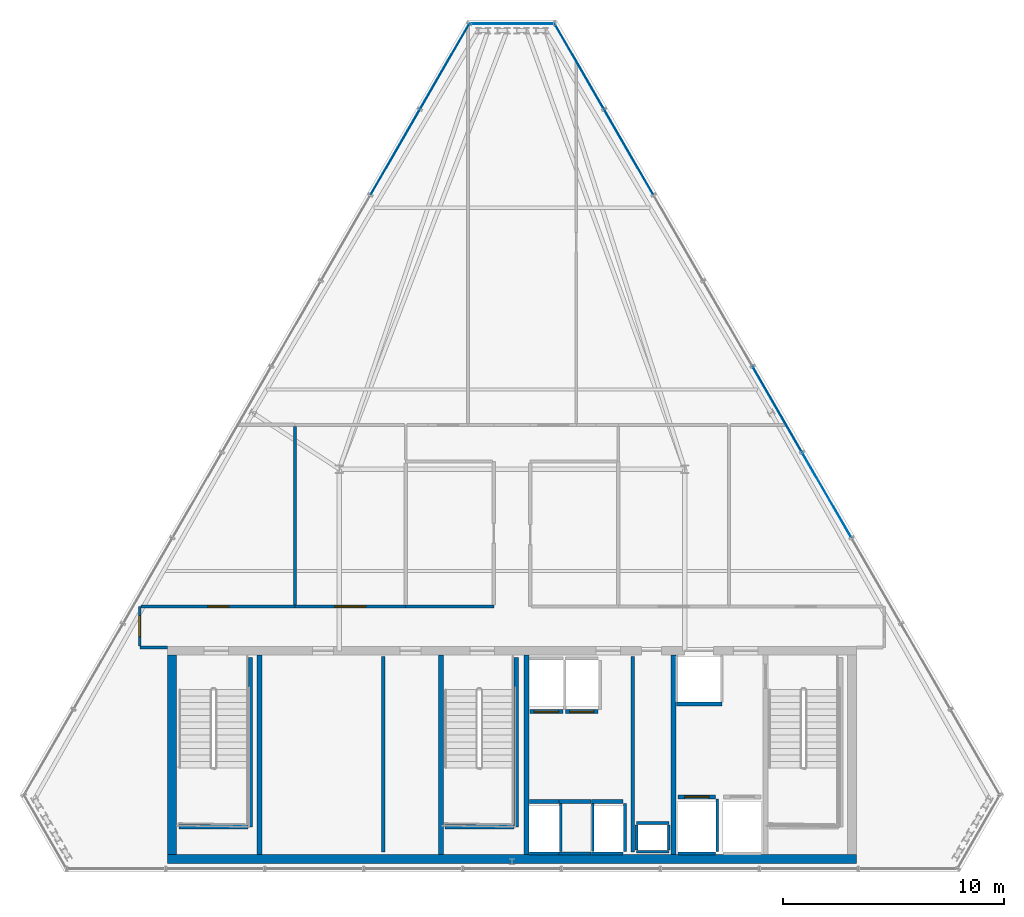
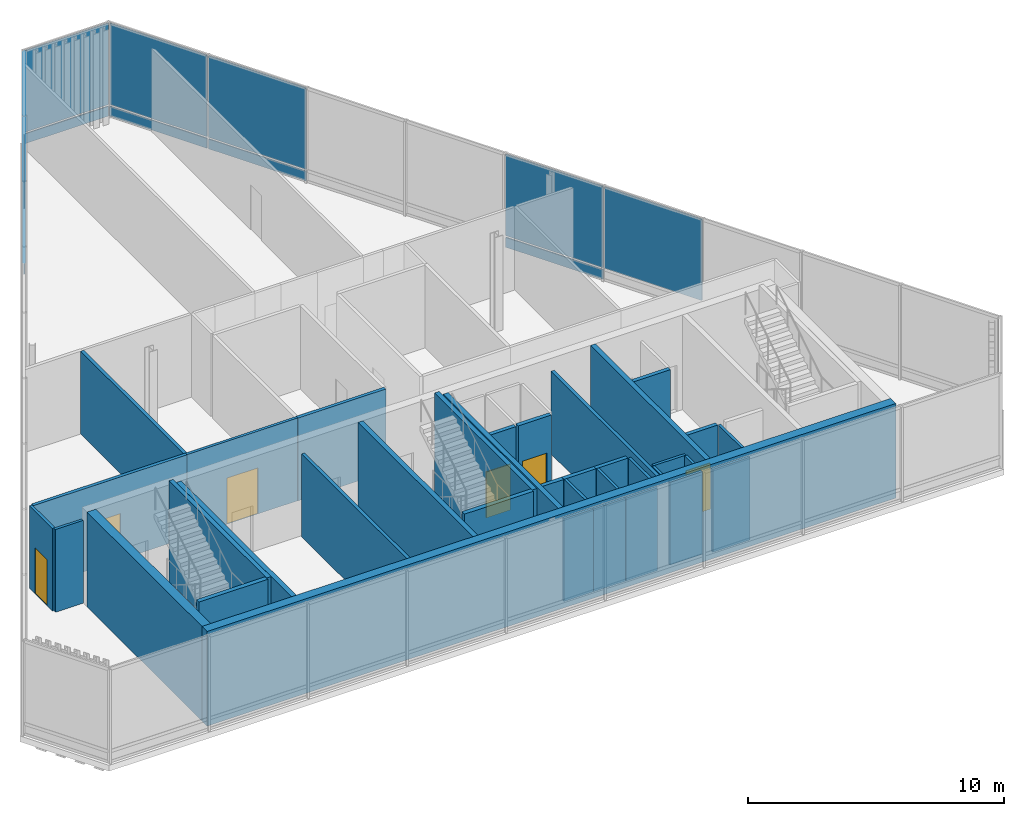
# One storey, part 20 of 25: 37 walls, 13 plates, 6 doors, 6 openings, 3 elements without a shape of their own.
"""IFC4 building model written with IfcOpenShell, lengths in metres."""

import ifcopenshell
import ifcopenshell.guid

model = None  # the IFC model being written
_history = None  # IfcOwnerHistory: only IFC2X3 demands one
_inside = {}  # id of a spatial element -> (the spatial element, [elements in it])
_under = {}  # id of a project, library or spatial element -> (it, [spatial elements below it])
_declared = {}  # id of a project -> (the project, [libraries it declares])
_typed = {}  # id of a type object -> (the type object, [elements of that type])
_made_of = {}  # id of a material, layer set ... -> (it, [elements and type objects made of it])


def new_model(schema):
    """Start an empty IFC model of exactly this schema.

    Asked for "IFC4X3", IfcOpenShell would pick the latest addendum, in which some entities
    have other attributes; the version numbers below select the first issue.
    IFC2X3 requires an IfcOwnerHistory on every rooted entity: one is made here for all.
    """
    global model, _history
    if schema == "IFC4X3":
        model = ifcopenshell.file(schema_version=(4, 3, 0, 0))
    else:
        model = ifcopenshell.file(schema=schema)
    _inside.clear()
    _under.clear()
    _declared.clear()
    _typed.clear()
    _made_of.clear()
    _history = None
    if model.schema == "IFC2X3":
        org = make("IfcOrganization", Name="unknown")
        user = make(
            "IfcPersonAndOrganization",
            ThePerson=make("IfcPerson", FamilyName="unknown"),
            TheOrganization=org,
        )
        app = make(
            "IfcApplication",
            ApplicationDeveloper=org,
            Version="unknown",
            ApplicationFullName="unknown",
            ApplicationIdentifier="unknown",
        )
        _history = make(
            "IfcOwnerHistory",
            OwningUser=user,
            OwningApplication=app,
            ChangeAction="ADDED",
            CreationDate=0,
        )
    return model


def make(cls, **values):
    """One entity of the class cls with the attributes given. An attribute that is None is left unset."""
    return model.create_entity(
        cls, **{name: value for name, value in values.items() if value is not None}
    )


def rooted(cls, **values):
    """An entity with a GlobalId (a new one), such as an element, a storey or a relation."""
    return make(cls, GlobalId=ifcopenshell.guid.new(), OwnerHistory=_history, **values)


def si_unit(unit_type, name, prefix=None):
    """IfcSIUnit, for example si_unit("LENGTHUNIT", "METRE", prefix="MILLI")."""
    return make("IfcSIUnit", UnitType=unit_type, Prefix=prefix, Name=name)


def assignment(units):
    """IfcUnitAssignment: the units of a project."""
    return None if units is None else make("IfcUnitAssignment", Units=units)


def point(xyz):
    """IfcCartesianPoint."""
    return None if xyz is None else make("IfcCartesianPoint", Coordinates=xyz)


def direction(xyz):
    """IfcDirection."""
    return None if xyz is None else make("IfcDirection", DirectionRatios=xyz)


def frame(location, z_axis=None, x_axis=None):
    """IfcAxis2Placement3D, a coordinate frame: its origin and axes. An axis left out is left unset."""
    return make(
        "IfcAxis2Placement3D",
        Location=point(location),
        Axis=direction(z_axis),
        RefDirection=direction(x_axis),
    )


def frame_2d(location, x_axis=None):
    """IfcAxis2Placement2D, a coordinate frame in the plane: its origin and x axis."""
    return make(
        "IfcAxis2Placement2D", Location=point(location), RefDirection=direction(x_axis)
    )


def origin():
    """The frame at (0, 0, 0) with its axes left unset."""
    return frame((0.0, 0.0, 0.0))


def origin_2d():
    """The frame at (0, 0) in the plane with its x axis left unset."""
    return frame_2d((0.0, 0.0))


def place(relative_to, where):
    """IfcLocalPlacement: puts the frame where relative to a parent placement (None: the world)."""
    return make(
        "IfcLocalPlacement", PlacementRelTo=relative_to, RelativePlacement=where
    )


def context(
    kind, dimensions, precision=None, world=None, true_north=None, identifier=None
):
    """IfcGeometricRepresentationContext, for example the 3D "Model" context."""
    return make(
        "IfcGeometricRepresentationContext",
        ContextIdentifier=identifier,
        ContextType=kind,
        CoordinateSpaceDimension=dimensions,
        Precision=precision,
        WorldCoordinateSystem=world,
        TrueNorth=true_north,
    )


def subcontext(parent, identifier, kind, view, scale=None):
    """IfcGeometricRepresentationSubContext, for example "Body" below "Model"."""
    return make(
        "IfcGeometricRepresentationSubContext",
        ContextIdentifier=identifier,
        ContextType=kind,
        ParentContext=parent,
        TargetScale=scale,
        TargetView=view,
    )


def project(units=None, contexts=None):
    """IfcProject with its units and contexts."""
    return rooted(
        "IfcProject",
        Name="project",
        RepresentationContexts=contexts,
        UnitsInContext=assignment(units),
    )


def spatial(cls, under=None, at=None, **own):
    """A site, building, storey or space (cls), placed at a placement, below another one or the project."""
    s = rooted(cls, ObjectPlacement=at, **own)
    if under is not None:
        _under.setdefault(under.id(), (under, []))[1].append(s)
    return s


def profile(cls, at=None, kind="AREA", **sizes):
    """A parametric profile (cls). Its sizes go by their IFC names, for example OverallWidth=200.0."""
    return make(cls, ProfileType=kind, Position=at, **sizes)


def rectangle(**sizes):
    """IfcRectangleProfileDef."""
    return profile("IfcRectangleProfileDef", **sizes)


def extrude(swept, where, along, depth):
    """IfcExtrudedAreaSolid: the profile swept, set in the frame where, extruded along a direction by depth."""
    return make(
        "IfcExtrudedAreaSolid",
        SweptArea=swept,
        Position=where,
        ExtrudedDirection=direction(along),
        Depth=depth,
    )


def shape(context_of_items, identifier, shape_type, items):
    """IfcShapeRepresentation: the items that make up one representation, for example the "Body"."""
    return make(
        "IfcShapeRepresentation",
        ContextOfItems=context_of_items,
        RepresentationIdentifier=identifier,
        RepresentationType=shape_type,
        Items=items,
    )


def material(Name=None, Category=None):
    """IfcMaterial."""
    return make("IfcMaterial", Name=Name, Category=Category)


def layer(
    of_material, thickness, ventilated=None, Name=None, Category=None, Priority=None
):
    """IfcMaterialLayer: one layer of a wall or slab, of a material (None: an air gap)."""
    return make(
        "IfcMaterialLayer",
        Material=of_material,
        LayerThickness=thickness,
        IsVentilated=ventilated,
        Name=Name,
        Category=Category,
        Priority=Priority,
    )


def layer_set(layers, Name=None):
    """IfcMaterialLayerSet."""
    return make("IfcMaterialLayerSet", MaterialLayers=layers, LayerSetName=Name)


def made_of(thing, what):
    """Note that an element or type object is made of a material, layer set ...; save() writes the relation."""
    if what is not None:
        _made_of.setdefault(what.id(), (what, []))[1].append(thing)
    return thing


def type_object(cls, material=None, **own):
    """A type object (cls), such as IfcWallType, which elements share."""
    return made_of(rooted(cls, **own), material)


def element(
    cls,
    number,
    at=None,
    inside=None,
    cuts=None,
    type_object=None,
    material=None,
    context=None,
    identifier="Body",
    shape_type=None,
    held_by="IfcProductDefinitionShape",
    body=None,
    shapes=None,
    **own,
):
    """One element of the class cls, such as IfcWall. Its Tag is "e" and its number.

    at: its placement. inside: the storey or other place that contains it. cuts: it is an
    opening in that element (IfcRelVoidsElement). A single representation is given by context,
    identifier, shape_type and body (its items); several are given by shapes. held_by: the class
    of the entity that holds the representations. save() writes the other relations.
    """
    e = rooted(cls, Tag="e%d" % number, ObjectPlacement=at, **own)
    if body is not None:
        shapes = [shape(context, identifier, shape_type, body)]
    if shapes is not None:
        e.Representation = make(held_by, Representations=shapes)
    if inside is not None:
        _inside.setdefault(inside.id(), (inside, []))[1].append(e)
    if cuts is not None:
        rooted(
            "IfcRelVoidsElement", RelatingBuildingElement=cuts, RelatedOpeningElement=e
        )
    if type_object is not None:
        _typed.setdefault(type_object.id(), (type_object, []))[1].append(e)
    return made_of(e, material)


def fill(opening, filler):
    """IfcRelFillsElement: the door or window that sits in an opening."""
    return rooted(
        "IfcRelFillsElement",
        RelatingOpeningElement=opening,
        RelatedBuildingElement=filler,
    )


def aggregate(whole, parts):
    """IfcRelAggregates: a whole, such as a stair, and the parts it consists of."""
    return rooted("IfcRelAggregates", RelatingObject=whole, RelatedObjects=parts)


def save(model, path):
    """Write the relations noted so far, then the file.

    IfcRelAggregates (storeys below a building ...), IfcRelContainedInSpatialStructure (elements
    in a storey), IfcRelDefinesByType, IfcRelAssociatesMaterial and IfcRelDeclares: one each for
    every whole, place, type object, material and project.
    """
    for whole, parts in _under.values():
        aggregate(whole, parts)
    for where, things in _inside.values():
        rooted(
            "IfcRelContainedInSpatialStructure",
            RelatedElements=things,
            RelatingStructure=where,
        )
    for kind, things in _typed.values():
        rooted("IfcRelDefinesByType", RelatedObjects=things, RelatingType=kind)
    for what, things in _made_of.values():
        rooted("IfcRelAssociatesMaterial", RelatedObjects=things, RelatingMaterial=what)
    for by, libraries in _declared.values():
        rooted("IfcRelDeclares", RelatingContext=by, RelatedDefinitions=libraries)
    model.write(path)


model = new_model("IFC4")

# Units and contexts
model_context = context("Model", 3, precision=1e-05, world=origin(), true_north=direction((0.0, 1.0)))
body_context = subcontext(model_context, "Body", "Model", "MODEL_VIEW")
ifc_project = project(units=[si_unit("LENGTHUNIT", "METRE"), si_unit("AREAUNIT", "SQUARE_METRE"), si_unit("VOLUMEUNIT", "CUBIC_METRE"), si_unit("PLANEANGLEUNIT", "RADIAN"), si_unit("MASSUNIT", "GRAM", prefix="KILO")], contexts=[model_context])

# Site, building, storey
site_placement = place(None, origin())
site = spatial("IfcSite", under=ifc_project, at=site_placement, CompositionType="ELEMENT")
building_placement = place(site_placement, origin())
building = spatial("IfcBuilding", under=site, at=building_placement, Name="Ndaravel Arena Tower", CompositionType="ELEMENT")
storey_placement = place(building_placement, frame((0.0, 0.0, 298.5)))
storey = spatial("IfcBuildingStorey", under=building, at=storey_placement, Name="L73", CompositionType="ELEMENT", Elevation=298.5)

# Curtain wall, plates
ifc_material_1 = material(Name="Aluminium", Category="aluminium")
ifc_layer_1 = layer(ifc_material_1, 0.179931640625)
ifc_layer_set_1 = layer_set([ifc_layer_1], Name="Aluminium")
curtain_wall_type = type_object("IfcCurtainWallType", Name="CW-SYS-04", PredefinedType="NOTDEFINED", material=ifc_layer_set_1)
curtain_wall_1_placement = place(storey_placement, origin())
curtain_wall_1 = element("IfcCurtainWall", 1, at=curtain_wall_1_placement, inside=storey, type_object=curtain_wall_type, Name="L73 Faceted Crystal Curtain Wall CW-L73-E03", PredefinedType="NOTDEFINED")
ifc_material_2 = material(Name="Glazing", Category="glass")
ifc_layer_2 = layer(ifc_material_2, 0.0400390625)
ifc_layer_set_2 = layer_set([ifc_layer_2], Name="Glazing")
plate_type_1 = type_object("IfcPlateType", Name="PLT-GLZ-LOWIRON", PredefinedType="CURTAIN_PANEL", material=ifc_layer_set_2)
plate_1_placement = place(storey_placement, frame((56.21240234375, 22.0341796875, 0.58984375), z_axis=(0.0, 0.0, 1.0), x_axis=(-0.5, 0.866025403784, 0.0)))
plate_1 = element("IfcPlate", 2, at=plate_1_placement, type_object=plate_type_1, Name="CW-L73-E03 Vision Glass Panel 04", PredefinedType="CURTAIN_PANEL", context=body_context, shape_type="SweptSolid", body=[
    extrude(rectangle(XDim=4.389892578125, YDim=0.035888671875, at=origin_2d()), origin(), (0.0, 0.0, 1.0), 3.889892578125),
])
plate_2_placement = place(storey_placement, frame((53.977294921875, 25.9052734375, 0.58984375), z_axis=(0.0, 0.0, 1.0), x_axis=(-0.5, 0.866025403784, 0.0)))
plate_2 = element("IfcPlate", 3, at=plate_2_placement, type_object=plate_type_1, Name="CW-L73-E03 Vision Glass Panel 05", PredefinedType="CURTAIN_PANEL", context=body_context, shape_type="SweptSolid", body=[
    extrude(rectangle(XDim=4.389892578125, YDim=0.035888671875, at=origin_2d()), origin(), (0.0, 0.0, 1.0), 3.889892578125),
])
plate_3_placement = place(storey_placement, frame((47.272216796875, 37.518798828125, 0.58984375), z_axis=(0.0, 0.0, 1.0), x_axis=(-0.5, 0.866025403784, 0.0)))
plate_3 = element("IfcPlate", 4, at=plate_3_placement, type_object=plate_type_1, Name="CW-L73-E03 Vision Glass Panel 08", PredefinedType="CURTAIN_PANEL", context=body_context, shape_type="SweptSolid", body=[
    extrude(rectangle(XDim=4.389892578125, YDim=0.035888671875, at=origin_2d()), origin(), (0.0, 0.0, 1.0), 3.889892578125),
])
plate_4_placement = place(storey_placement, frame((45.037353515625, 41.389892578125, 0.58984375), z_axis=(0.0, 0.0, 1.0), x_axis=(-0.5, 0.866025403784, 0.0)))
plate_4 = element("IfcPlate", 5, at=plate_4_placement, type_object=plate_type_1, Name="CW-L73-E03 Vision Glass Panel 09", PredefinedType="CURTAIN_PANEL", context=body_context, shape_type="SweptSolid", body=[
    extrude(rectangle(XDim=4.389892578125, YDim=0.035888671875, at=origin_2d()), origin(), (0.0, 0.0, 1.0), 3.889892578125),
])

# Curtain wall, plate
curtain_wall_2_placement = place(storey_placement, origin())
curtain_wall_2 = element("IfcCurtainWall", 6, at=curtain_wall_2_placement, inside=storey, type_object=curtain_wall_type, Name="L73 Faceted Crystal Curtain Wall CW-L73-E04", PredefinedType="NOTDEFINED")
plate_5_placement = place(storey_placement, frame((42.0, 43.325439453125, 0.58984375), z_axis=(0.0, 0.0, 1.0), x_axis=(-1.0, 0.0, 0.0)))
plate_5 = element("IfcPlate", 7, at=plate_5_placement, type_object=plate_type_1, Name="CW-L73-E04 Vision Glass Panel 01", PredefinedType="CURTAIN_PANEL", context=body_context, shape_type="SweptSolid", body=[
    extrude(rectangle(XDim=3.759521484375, YDim=0.035888671875, at=origin_2d()), origin(), (0.0, 0.0, 1.0), 3.889892578125),
])

# Curtain wall, plates
curtain_wall_3_placement = place(storey_placement, origin())
curtain_wall_3 = element("IfcCurtainWall", 8, at=curtain_wall_3_placement, inside=storey, type_object=curtain_wall_type, Name="L73 Faceted Crystal Curtain Wall CW-L73-E05", PredefinedType="NOTDEFINED")
plate_6_placement = place(storey_placement, frame((38.962646484375, 41.389892578125, 0.58984375), z_axis=(0.0, 0.0, 1.0), x_axis=(-0.5, -0.866025403784, 0.0)))
plate_6 = element("IfcPlate", 9, at=plate_6_placement, type_object=plate_type_1, Name="CW-L73-E05 Vision Glass Panel 01", PredefinedType="CURTAIN_PANEL", context=body_context, shape_type="SweptSolid", body=[
    extrude(rectangle(XDim=4.389892578125, YDim=0.035888671875, at=origin_2d()), origin(), (0.0, 0.0, 1.0), 3.889892578125),
])
plate_7_placement = place(storey_placement, frame((36.727783203125, 37.518798828125, 0.58984375), z_axis=(0.0, 0.0, 1.0), x_axis=(-0.5, -0.866025403784, 0.0)))
plate_7 = element("IfcPlate", 10, at=plate_7_placement, type_object=plate_type_1, Name="CW-L73-E05 Vision Glass Panel 02", PredefinedType="CURTAIN_PANEL", context=body_context, shape_type="SweptSolid", body=[
    extrude(rectangle(XDim=4.389892578125, YDim=0.035888671875, at=origin_2d()), origin(), (0.0, 0.0, 1.0), 3.889892578125),
])

# Plate
ifc_material_3 = material(Name="Aluminium", Category="aluminium")
ifc_layer_3 = layer(ifc_material_3, 0.044921875)
ifc_layer_set_3 = layer_set([ifc_layer_3], Name="Aluminium")
plate_type_2 = type_object("IfcPlateType", Name="PLT-SPANDREL-ALU", PredefinedType="SHEET", material=ifc_layer_set_3)
plate_8_placement = place(storey_placement, frame((53.977294921875, 25.9052734375, 0.0400390625), z_axis=(0.0, 0.0, 1.0), x_axis=(-0.5, 0.866025403784, 0.0)))
plate_8 = element("IfcPlate", 11, at=plate_8_placement, type_object=plate_type_2, Name="CW-L73-E03 Spandrel Panel 05", PredefinedType="SHEET", context=body_context, shape_type="SweptSolid", body=[
    extrude(rectangle(XDim=4.389892578125, YDim=0.044921875, at=origin_2d()), origin(), (0.0, 0.0, 1.0), 0.469970703125),
])

plate_9_placement = place(storey_placement, frame((47.272216796875, 37.518798828125, 0.0400390625), z_axis=(0.0, 0.0, 1.0), x_axis=(-0.5, 0.866025403784, 0.0)))
plate_9 = element("IfcPlate", 12, at=plate_9_placement, type_object=plate_type_2, Name="CW-L73-E03 Spandrel Panel 08", PredefinedType="SHEET", context=body_context, shape_type="SweptSolid", body=[
    extrude(rectangle(XDim=4.389892578125, YDim=0.044921875, at=origin_2d()), origin(), (0.0, 0.0, 1.0), 0.469970703125),
])

plate_10_placement = place(storey_placement, frame((45.037353515625, 41.389892578125, 0.0400390625), z_axis=(0.0, 0.0, 1.0), x_axis=(-0.5, 0.866025403784, 0.0)))
plate_10 = element("IfcPlate", 13, at=plate_10_placement, type_object=plate_type_2, Name="CW-L73-E03 Spandrel Panel 09", PredefinedType="SHEET", context=body_context, shape_type="SweptSolid", body=[
    extrude(rectangle(XDim=4.389892578125, YDim=0.044921875, at=origin_2d()), origin(), (0.0, 0.0, 1.0), 0.469970703125),
])

aggregate(curtain_wall_1, [plate_1, plate_8, plate_2, plate_9, plate_3, plate_10, plate_4])

plate_11_placement = place(storey_placement, frame((42.0, 43.325439453125, 0.0400390625), z_axis=(0.0, 0.0, 1.0), x_axis=(-1.0, 0.0, 0.0)))
plate_11 = element("IfcPlate", 14, at=plate_11_placement, type_object=plate_type_2, Name="CW-L73-E04 Spandrel Panel 01", PredefinedType="SHEET", context=body_context, shape_type="SweptSolid", body=[
    extrude(rectangle(XDim=3.759521484375, YDim=0.044921875, at=origin_2d()), origin(), (0.0, 0.0, 1.0), 0.469970703125),
])

aggregate(curtain_wall_2, [plate_11, plate_5])

plate_12_placement = place(storey_placement, frame((38.962646484375, 41.389892578125, 0.0400390625), z_axis=(0.0, 0.0, 1.0), x_axis=(-0.5, -0.866025403784, 0.0)))
plate_12 = element("IfcPlate", 15, at=plate_12_placement, type_object=plate_type_2, Name="CW-L73-E05 Spandrel Panel 01", PredefinedType="SHEET", context=body_context, shape_type="SweptSolid", body=[
    extrude(rectangle(XDim=4.389892578125, YDim=0.044921875, at=origin_2d()), origin(), (0.0, 0.0, 1.0), 0.469970703125),
])

plate_13_placement = place(storey_placement, frame((36.727783203125, 37.518798828125, 0.0400390625), z_axis=(0.0, 0.0, 1.0), x_axis=(-0.5, -0.866025403784, 0.0)))
plate_13 = element("IfcPlate", 16, at=plate_13_placement, type_object=plate_type_2, Name="CW-L73-E05 Spandrel Panel 02", PredefinedType="SHEET", context=body_context, shape_type="SweptSolid", body=[
    extrude(rectangle(XDim=4.389892578125, YDim=0.044921875, at=origin_2d()), origin(), (0.0, 0.0, 1.0), 0.469970703125),
])

aggregate(curtain_wall_3, [plate_12, plate_6, plate_13, plate_7])

# Walls
ifc_material_4 = material(Name="Gypsum", Category="gypsum")
ifc_layer_4 = layer(ifc_material_4, 0.14990234375)
ifc_layer_set_4 = layer_set([ifc_layer_4], Name="Gypsum")
wall_type_1 = type_object("IfcWallType", Name="WALL-COMP-150", PredefinedType="PARTITIONING", material=ifc_layer_set_4)
for number, where, z_axis, x_axis, name in (
    (17, (47.449951171875, 5.89990234375, 0.0), (0.0, 0.0, 1.0), (0.0, 1.0, 0.0), "L73 Core Riser Bay Partition"),
    (18, (36.179931640625, 5.89990234375, 0.0), (0.0, 0.0, 1.0), (0.0, 1.0, 0.0), "L73 High-Zone Core Divider 1"),
):
    element("IfcWall", number, at=place(storey_placement, frame(where, z_axis=z_axis, x_axis=x_axis)), inside=storey, type_object=wall_type_1, Name=name, PredefinedType="PARTITIONING", context=body_context, shape_type="SweptSolid", body=[
        extrude(rectangle(XDim=8.85009765625, YDim=0.14990234375, at=frame_2d((4.425048828125, 0.0))), origin(), (0.0, 0.0, 1.0), 3.950439453125),
    ])
ifc_material_5 = material(Name="Concrete C50/60", Category="concrete")
ifc_layer_5 = layer(ifc_material_5, 0.219970703125)
ifc_layer_set_5 = layer_set([ifc_layer_5], Name="Concrete C50/60")
wall_type_2 = type_object("IfcWallType", Name="WALL-CORE-220", PredefinedType="SOLIDWALL", material=ifc_layer_set_5)
for number, where, z_axis, x_axis, name in (
    (19, (30.60009765625, 5.800048828125, 0.0), (0.0, 0.0, 1.0), (0.0, 1.0, 0.0), "L73 Core Web Shear Wall 1"),
    (20, (38.800048828125, 5.800048828125, 0.0), (0.0, 0.0, 1.0), (0.0, 1.0, 0.0), "L73 Core Web Shear Wall 2"),
    (21, (42.64990234375, 5.800048828125, 0.0), (0.0, 0.0, 1.0), (0.0, 1.0, 0.0), "L73 Core Web Shear Wall 3"),
    (22, (49.300048828125, 5.800048828125, 0.0), (0.0, 0.0, 1.0), (0.0, 1.0, 0.0), "L73 Core Web Shear Wall 4"),
):
    element("IfcWall", number, at=place(storey_placement, frame(where, z_axis=z_axis, x_axis=x_axis)), inside=storey, type_object=wall_type_2, Name=name, PredefinedType="SOLIDWALL", context=body_context, shape_type="SweptSolid", body=[
        extrude(rectangle(XDim=9.0, YDim=0.219970703125, at=frame_2d((4.5, 0.0))), origin(), (0.0, 0.0, 1.0), 4.52001953125),
    ])
ifc_material_6 = material(Name="Concrete C50/60", Category="concrete")
ifc_layer_6 = layer(ifc_material_6, 0.39990234375)
ifc_layer_set_6 = layer_set([ifc_layer_6], Name="Concrete C50/60")
wall_type_3 = type_object("IfcWallType", Name="WALL-CORE-400", PredefinedType="SOLIDWALL", material=ifc_layer_set_6)
wall_1_placement = place(storey_placement, frame((26.449951171875, 5.60009765625, 0.0), z_axis=(0.0, 0.0, 1.0), x_axis=(1.0, 0.0, 0.0)))
element("IfcWall", 23, at=wall_1_placement, inside=storey, type_object=wall_type_3, Name="L73 Core South Shear Wall", PredefinedType="SOLIDWALL", context=body_context, shape_type="SweptSolid", body=[
    extrude(rectangle(XDim=31.10009765625, YDim=0.39990234375, at=frame_2d((15.550048828125, 0.0))), origin(), (0.0, 0.0, 1.0), 4.52001953125),
])
wall_2_placement = place(storey_placement, frame((26.64990234375, 5.800048828125, 0.0), z_axis=(0.0, 0.0, 1.0), x_axis=(0.0, 1.0, 0.0)))
element("IfcWall", 24, at=wall_2_placement, inside=storey, type_object=wall_type_3, Name="L73 Core West Shear Wall", PredefinedType="SOLIDWALL", context=body_context, shape_type="SweptSolid", body=[
    extrude(rectangle(XDim=9.0, YDim=0.39990234375, at=frame_2d((4.5, 0.0))), origin(), (0.0, 0.0, 1.0), 4.52001953125),
])
ifc_material_7 = material(Name="Gypsum", Category="gypsum")
ifc_layer_7 = layer(ifc_material_7, 0.125)
ifc_layer_set_7 = layer_set([ifc_layer_7], Name="Gypsum")
wall_type_4 = type_object("IfcWallType", Name="WALL-PART-125", PredefinedType="PARTITIONING", material=ifc_layer_set_7)
wall_3_placement = place(storey_placement, frame((26.449951171875, 15.14990234375, 0.0), z_axis=(0.0, 0.0, 1.0), x_axis=(-1.0, 0.0, 0.0)))
element("IfcWall", 25, at=wall_3_placement, inside=storey, type_object=wall_type_4, Name="L73 Interior Partition 003", PredefinedType="PARTITIONING", context=body_context, shape_type="SweptSolid", body=[
    extrude(rectangle(XDim=1.259033203125, YDim=0.125, at=frame_2d((0.62939453125, 0.0))), origin(), (0.0, 0.0, 1.0), 3.950439453125),
])

# Wall, opening, door
wall_4_placement = place(storey_placement, frame((25.19091796875, 15.215087890625, 0.0), z_axis=(0.0, 0.0, 1.0), x_axis=(0.0, 1.0, 0.0)))
wall_4 = element("IfcWall", 26, at=wall_4_placement, inside=storey, type_object=wall_type_4, Name="L73 Interior Partition 004", PredefinedType="PARTITIONING", context=body_context, shape_type="SweptSolid", body=[
    extrude(rectangle(XDim=1.784912109375, YDim=0.125, at=frame_2d((0.892578125, 0.0))), origin(), (0.0, 0.0, 1.0), 3.950439453125),
])
opening_1_placement = place(wall_4_placement, frame((0.41748046875, 0.0, 0.0)))
opening_1 = element("IfcOpeningElement", 27, at=opening_1_placement, cuts=wall_4, Name="Opening ID-01", PredefinedType="OPENING", context=body_context, shape_type="SweptSolid", body=[
    extrude(rectangle(XDim=0.949951171875, YDim=2.199951171875, at=frame_2d((0.47509765625, 1.10009765625))), frame((0.0, 0.0625, 0.0), z_axis=(0.0, -1.0, 0.0), x_axis=(1.0, 0.0, 0.0)), (0.0, 0.0, 1.0), 0.125),
])
ifc_material_8 = material(Name="Timber", Category="wood")
door_type_1 = type_object("IfcDoorType", Name="DT-03-OFFICE-950", OperationType="SINGLE_SWING_LEFT", PredefinedType="DOOR", material=ifc_material_8)
door_1_placement = place(opening_1_placement, origin())
door_1 = element("IfcDoor", 28, at=door_1_placement, inside=storey, type_object=door_type_1, Name="L73 Public Sky Observation Gallery Door", OperationType="SINGLE_SWING_RIGHT", OverallHeight=2.199951171875, OverallWidth=0.949951171875, PredefinedType="DOOR", context=body_context, shape_type="SweptSolid", body=[
    extrude(rectangle(XDim=0.949951171875, YDim=2.199951171875, at=frame_2d((0.47509765625, 1.10009765625))), frame((0.0, 0.02490234375, 0.0), z_axis=(0.0, -1.0, 0.0), x_axis=(1.0, 0.0, 0.0)), (0.0, 0.0, 1.0), 0.050048828125),
])
fill(opening_1, door_1)

wall_5_placement = place(storey_placement, frame((32.199951171875, 17.0, 0.0), z_axis=(0.0, 0.0, 1.0), x_axis=(1.0, 0.0, 0.0)))
wall_5 = element("IfcWall", 29, at=wall_5_placement, inside=storey, type_object=wall_type_4, Name="L73 Interior Partition 006", PredefinedType="PARTITIONING", context=body_context, shape_type="SweptSolid", body=[
    extrude(rectangle(XDim=5.0, YDim=0.125, at=frame_2d((2.5, 0.0))), origin(), (0.0, 0.0, 1.0), 3.950439453125),
])
opening_2_placement = place(wall_5_placement, frame((1.800048828125, 0.0, 0.0)))
opening_2 = element("IfcOpeningElement", 30, at=opening_2_placement, cuts=wall_5, Name="Opening ID-02", PredefinedType="OPENING", context=body_context, shape_type="SweptSolid", body=[
    extrude(rectangle(XDim=1.39990234375, YDim=2.199951171875, at=frame_2d((0.699951171875, 1.10009765625))), frame((0.0, 0.0625, 0.0), z_axis=(0.0, -1.0, 0.0), x_axis=(1.0, 0.0, 0.0)), (0.0, 0.0, 1.0), 0.125),
])
ifc_material_9 = material(Name="Timber", Category="wood")
door_type_2 = type_object("IfcDoorType", Name="DT-04-SUITE-1400", OperationType="DOUBLE_DOOR_SINGLE_SWING", PredefinedType="DOOR", material=ifc_material_9)
door_2_placement = place(opening_2_placement, origin())
door_2 = element("IfcDoor", 31, at=door_2_placement, inside=storey, type_object=door_type_2, Name="L73 North Panoramic Viewing Gallery 2 Door", OperationType="SINGLE_SWING_RIGHT", OverallHeight=2.199951171875, OverallWidth=1.39990234375, PredefinedType="DOOR", context=body_context, shape_type="SweptSolid", body=[
    extrude(rectangle(XDim=1.39990234375, YDim=2.199951171875, at=frame_2d((0.699951171875, 1.10009765625))), frame((0.0, 0.02490234375, 0.0), z_axis=(0.0, -1.0, 0.0), x_axis=(1.0, 0.0, 0.0)), (0.0, 0.0, 1.0), 0.050048828125),
])
fill(opening_2, door_2)

# Walls
ifc_material_10 = material(Name="Concrete C40/50", Category="concrete")
ifc_layer_8 = layer(ifc_material_10, 0.1201171875)
ifc_layer_set_8 = layer_set([ifc_layer_8], Name="Concrete C40/50")
wall_type_5 = type_object("IfcWallType", Name="WALL-SHAFT-120", PredefinedType="SOLIDWALL", material=ifc_layer_set_8)
for number, where, z_axis, x_axis, name in (
    (32, (47.6201171875, 5.919921875, 0.0), (0.0, 0.0, 1.0), (1.0, 0.0, 0.0), "L73 MEP Riser Shaft S Wall"),
    (33, (47.6201171875, 7.219970703125, 0.0), (0.0, 0.0, 1.0), (1.0, 0.0, 0.0), "L73 MEP Riser Shaft N Wall"),
):
    element("IfcWall", number, at=place(storey_placement, frame(where, z_axis=z_axis, x_axis=x_axis)), inside=storey, type_object=wall_type_5, Name=name, PredefinedType="SOLIDWALL", context=body_context, shape_type="SweptSolid", body=[
        extrude(rectangle(XDim=1.4599609375, YDim=0.1201171875, at=frame_2d((0.72998046875, 0.0))), origin(), (0.0, 0.0, 1.0), 3.950439453125),
    ])
for number, where, z_axis, x_axis, name in (
    (34, (47.6201171875, 6.0, 0.0), (0.0, 0.0, 1.0), (0.0, 1.0, 0.0), "L73 MEP Riser Shaft W Wall"),
    (35, (49.080078125, 6.0, 0.0), (0.0, 0.0, 1.0), (0.0, 1.0, 0.0), "L73 MEP Riser Shaft E Wall"),
):
    element("IfcWall", number, at=place(storey_placement, frame(where, z_axis=z_axis, x_axis=x_axis)), inside=storey, type_object=wall_type_5, Name=name, PredefinedType="SOLIDWALL", context=body_context, shape_type="SweptSolid", body=[
        extrude(rectangle(XDim=1.139892578125, YDim=0.1201171875, at=frame_2d((0.56982421875, 0.0))), origin(), (0.0, 0.0, 1.0), 3.950439453125),
    ])
wall_6_placement = place(storey_placement, frame((42.780029296875, 5.840087890625, 0.0), z_axis=(0.0, 0.0, 1.0), x_axis=(1.0, 0.0, 0.0)))
element("IfcWall", 36, at=wall_6_placement, inside=storey, type_object=wall_type_5, Name="L73 PL-H1 Shaft Rear Wall", PredefinedType="SOLIDWALL", context=body_context, shape_type="SweptSolid", body=[
    extrude(rectangle(XDim=1.340087890625, YDim=0.1201171875, at=frame_2d((0.669921875, 0.0))), origin(), (0.0, 0.0, 1.0), 3.950439453125),
])
wall_7_placement = place(storey_placement, frame((44.199951171875, 5.929931640625, 0.0), z_axis=(0.0, 0.0, 1.0), x_axis=(0.0, 1.0, 0.0)))
element("IfcWall", 37, at=wall_7_placement, inside=storey, type_object=wall_type_5, Name="L73 PL-H1 Shaft Side R Wall", PredefinedType="SOLIDWALL", context=body_context, shape_type="SweptSolid", body=[
    extrude(rectangle(XDim=2.18017578125, YDim=0.1201171875, at=frame_2d((1.090087890625, 0.0))), origin(), (0.0, 0.0, 1.0), 3.950439453125),
])
wall_8_placement = place(storey_placement, frame((44.1298828125, 5.840087890625, 0.0), z_axis=(0.0, 0.0, 1.0), x_axis=(1.0, 0.0, 0.0)))
element("IfcWall", 38, at=wall_8_placement, inside=storey, type_object=wall_type_5, Name="L73 PL-H2 Shaft Rear Wall", PredefinedType="SOLIDWALL", context=body_context, shape_type="SweptSolid", body=[
    extrude(rectangle(XDim=1.440185546875, YDim=0.1201171875, at=frame_2d((0.72021484375, 0.0))), origin(), (0.0, 0.0, 1.0), 3.950439453125),
])
wall_9_placement = place(storey_placement, frame((45.64990234375, 5.929931640625, 0.0), z_axis=(0.0, 0.0, 1.0), x_axis=(0.0, 1.0, 0.0)))
element("IfcWall", 39, at=wall_9_placement, inside=storey, type_object=wall_type_5, Name="L73 PL-H2 Shaft Side R Wall", PredefinedType="SOLIDWALL", context=body_context, shape_type="SweptSolid", body=[
    extrude(rectangle(XDim=2.18017578125, YDim=0.1201171875, at=frame_2d((1.090087890625, 0.0))), origin(), (0.0, 0.0, 1.0), 3.950439453125),
])
wall_10_placement = place(storey_placement, frame((45.580078125, 5.840087890625, 0.0), z_axis=(0.0, 0.0, 1.0), x_axis=(1.0, 0.0, 0.0)))
element("IfcWall", 40, at=wall_10_placement, inside=storey, type_object=wall_type_5, Name="L73 PL-H3 Shaft Rear Wall", PredefinedType="SOLIDWALL", context=body_context, shape_type="SweptSolid", body=[
    extrude(rectangle(XDim=1.43994140625, YDim=0.1201171875, at=frame_2d((0.719970703125, 0.0))), origin(), (0.0, 0.0, 1.0), 3.950439453125),
])
wall_11_placement = place(storey_placement, frame((47.10009765625, 5.929931640625, 0.0), z_axis=(0.0, 0.0, 1.0), x_axis=(0.0, 1.0, 0.0)))
element("IfcWall", 41, at=wall_11_placement, inside=storey, type_object=wall_type_5, Name="L73 PL-H3 Shaft Side R Wall", PredefinedType="SOLIDWALL", context=body_context, shape_type="SweptSolid", body=[
    extrude(rectangle(XDim=2.18017578125, YDim=0.1201171875, at=frame_2d((1.090087890625, 0.0))), origin(), (0.0, 0.0, 1.0), 3.950439453125),
])
wall_12_placement = place(storey_placement, frame((49.5048828125, 5.840087890625, 0.0), z_axis=(0.0, 0.0, 1.0), x_axis=(1.0, 0.0, 0.0)))
element("IfcWall", 42, at=wall_12_placement, inside=storey, type_object=wall_type_5, Name="L73 FFL-1 Shaft Rear Wall", PredefinedType="SOLIDWALL", context=body_context, shape_type="SweptSolid", body=[
    extrude(rectangle(XDim=1.690185546875, YDim=0.1201171875, at=frame_2d((0.84521484375, 0.0))), origin(), (0.0, 0.0, 1.0), 3.950439453125),
])
wall_13_placement = place(storey_placement, frame((51.27490234375, 5.929931640625, 0.0), z_axis=(0.0, 0.0, 1.0), x_axis=(0.0, 1.0, 0.0)))
element("IfcWall", 43, at=wall_13_placement, inside=storey, type_object=wall_type_5, Name="L73 FFL-1 Shaft Side R Wall", PredefinedType="SOLIDWALL", context=body_context, shape_type="SweptSolid", body=[
    extrude(rectangle(XDim=2.380126953125, YDim=0.1201171875, at=frame_2d((1.18994140625, 0.0))), origin(), (0.0, 0.0, 1.0), 3.950439453125),
])
ifc_material_11 = material(Name="Concrete C40/50", Category="concrete")
ifc_layer_9 = layer(ifc_material_11, 0.199951171875)
ifc_layer_set_9 = layer_set([ifc_layer_9], Name="Concrete C40/50")
wall_type_6 = type_object("IfcWallType", Name="WALL-SHAFT-200", PredefinedType="SOLIDWALL", material=ifc_layer_set_9)
wall_14_placement = place(storey_placement, frame((30.18994140625, 14.699951171875, 0.0), z_axis=(0.0, 0.0, 1.0), x_axis=(0.0, -1.0, 0.0)))
element("IfcWall", 44, at=wall_14_placement, inside=storey, type_object=wall_type_6, Name="L73 ST-1 Structural Shaft Wall Right", PredefinedType="SOLIDWALL", context=body_context, shape_type="SweptSolid", body=[
    extrude(rectangle(XDim=7.64990234375, YDim=0.199951171875, at=frame_2d((3.824951171875, 0.0))), origin(), (0.0, 0.0, 1.0), 4.800048828125),
])
wall_15_placement = place(storey_placement, frame((26.969970703125, 7.050048828125, 0.0), z_axis=(0.0, 0.0, 1.0), x_axis=(1.0, 0.0, 0.0)))
element("IfcWall", 45, at=wall_15_placement, inside=storey, type_object=wall_type_6, Name="L73 ST-1 Structural Shaft Wall Far", PredefinedType="SOLIDWALL", context=body_context, shape_type="SweptSolid", body=[
    extrude(rectangle(XDim=3.114990234375, YDim=0.199951171875, at=frame_2d((1.5576171875, 0.0))), origin(), (0.0, 0.0, 1.0), 4.800048828125),
])
wall_16_placement = place(storey_placement, frame((42.18994140625, 14.699951171875, 0.0), z_axis=(0.0, 0.0, 1.0), x_axis=(0.0, -1.0, 0.0)))
element("IfcWall", 46, at=wall_16_placement, inside=storey, type_object=wall_type_6, Name="L73 ST-2 Structural Shaft Wall Right", PredefinedType="SOLIDWALL", context=body_context, shape_type="SweptSolid", body=[
    extrude(rectangle(XDim=7.64990234375, YDim=0.199951171875, at=frame_2d((3.824951171875, 0.0))), origin(), (0.0, 0.0, 1.0), 4.800048828125),
])
wall_17_placement = place(storey_placement, frame((38.969970703125, 7.050048828125, 0.0), z_axis=(0.0, 0.0, 1.0), x_axis=(1.0, 0.0, 0.0)))
element("IfcWall", 47, at=wall_17_placement, inside=storey, type_object=wall_type_6, Name="L73 ST-2 Structural Shaft Wall Far", PredefinedType="SOLIDWALL", context=body_context, shape_type="SweptSolid", body=[
    extrude(rectangle(XDim=3.114990234375, YDim=0.199951171875, at=frame_2d((1.5576171875, 0.0))), origin(), (0.0, 0.0, 1.0), 4.800048828125),
])
wall_18_placement = place(storey_placement, frame((42.780029296875, 8.199951171875, 0.0), z_axis=(0.0, 0.0, 1.0), x_axis=(1.0, 0.0, 0.0)))
element("IfcWall", 48, at=wall_18_placement, inside=storey, type_object=wall_type_6, Name="L73 PL-H1 Shaft Landing Wall", PredefinedType="SOLIDWALL", context=body_context, shape_type="SweptSolid", body=[
    extrude(rectangle(XDim=1.340087890625, YDim=0.179931640625, at=frame_2d((0.669921875, 0.0))), origin(), (0.0, 0.0, 1.0), 3.950439453125),
])
wall_19_placement = place(storey_placement, frame((44.1298828125, 8.199951171875, 0.0), z_axis=(0.0, 0.0, 1.0), x_axis=(1.0, 0.0, 0.0)))
element("IfcWall", 49, at=wall_19_placement, inside=storey, type_object=wall_type_6, Name="L73 PL-H2 Shaft Landing Wall", PredefinedType="SOLIDWALL", context=body_context, shape_type="SweptSolid", body=[
    extrude(rectangle(XDim=1.440185546875, YDim=0.179931640625, at=frame_2d((0.72021484375, 0.0))), origin(), (0.0, 0.0, 1.0), 3.950439453125),
])
wall_20_placement = place(storey_placement, frame((45.580078125, 8.199951171875, 0.0), z_axis=(0.0, 0.0, 1.0), x_axis=(1.0, 0.0, 0.0)))
element("IfcWall", 50, at=wall_20_placement, inside=storey, type_object=wall_type_6, Name="L73 PL-H3 Shaft Landing Wall", PredefinedType="SOLIDWALL", context=body_context, shape_type="SweptSolid", body=[
    extrude(rectangle(XDim=1.43994140625, YDim=0.179931640625, at=frame_2d((0.719970703125, 0.0))), origin(), (0.0, 0.0, 1.0), 3.950439453125),
])

# Wall, opening, door
wall_21_placement = place(storey_placement, frame((42.804931640625, 12.25, 0.0), z_axis=(0.0, 0.0, 1.0), x_axis=(1.0, 0.0, 0.0)))
wall_21 = element("IfcWall", 51, at=wall_21_placement, inside=storey, type_object=wall_type_6, Name="L73 PL-OBS1 Shaft Landing Wall", PredefinedType="SOLIDWALL", context=body_context, shape_type="SweptSolid", body=[
    extrude(rectangle(XDim=1.489990234375, YDim=0.179931640625, at=frame_2d((0.7451171875, 0.0))), origin(), (0.0, 0.0, 1.0), 3.950439453125),
])
opening_3_placement = place(wall_21_placement, frame((0.195068359375, 0.0, 0.0)))
opening_3 = element("IfcOpeningElement", 52, at=opening_3_placement, cuts=wall_21, Name="Opening LD-01", PredefinedType="OPENING", context=body_context, shape_type="SweptSolid", body=[
    extrude(rectangle(XDim=1.10009765625, YDim=2.199951171875, at=frame_2d((0.550048828125, 1.10009765625))), frame((0.0, 0.08984375, 0.0), z_axis=(0.0, -1.0, 0.0), x_axis=(1.0, 0.0, 0.0)), (0.0, 0.0, 1.0), 0.179931640625),
])
ifc_material_12 = material(Name="Steel S355", Category="steel")
door_type_3 = type_object("IfcDoorType", Name="DT-06-LIFT-1100", OperationType="SLIDING_TO_LEFT", PredefinedType="DOOR", material=ifc_material_12)
door_3_placement = place(opening_3_placement, origin())
door_3 = element("IfcDoor", 53, at=door_3_placement, inside=storey, type_object=door_type_3, Name="L73 Lift PL-OBS1 Sliding Landing Door", OperationType="SLIDING_TO_LEFT", OverallHeight=2.199951171875, OverallWidth=1.10009765625, PredefinedType="DOOR", context=body_context, shape_type="SweptSolid", body=[
    extrude(rectangle(XDim=1.10009765625, YDim=2.199951171875, at=frame_2d((0.550048828125, 1.10009765625))), frame((0.0, 0.02490234375, 0.0), z_axis=(0.0, -1.0, 0.0), x_axis=(1.0, 0.0, 0.0)), (0.0, 0.0, 1.0), 0.050048828125),
])
fill(opening_3, door_3)

wall_22_placement = place(storey_placement, frame((44.405029296875, 12.25, 0.0), z_axis=(0.0, 0.0, 1.0), x_axis=(1.0, 0.0, 0.0)))
wall_22 = element("IfcWall", 54, at=wall_22_placement, inside=storey, type_object=wall_type_6, Name="L73 PL-OBS2 Shaft Landing Wall", PredefinedType="SOLIDWALL", context=body_context, shape_type="SweptSolid", body=[
    extrude(rectangle(XDim=1.489990234375, YDim=0.179931640625, at=frame_2d((0.7451171875, 0.0))), origin(), (0.0, 0.0, 1.0), 3.950439453125),
])
opening_4_placement = place(wall_22_placement, frame((0.195068359375, 0.0, 0.0)))
opening_4 = element("IfcOpeningElement", 55, at=opening_4_placement, cuts=wall_22, Name="Opening LD-01", PredefinedType="OPENING", context=body_context, shape_type="SweptSolid", body=[
    extrude(rectangle(XDim=1.10009765625, YDim=2.199951171875, at=frame_2d((0.550048828125, 1.10009765625))), frame((0.0, 0.08984375, 0.0), z_axis=(0.0, -1.0, 0.0), x_axis=(1.0, 0.0, 0.0)), (0.0, 0.0, 1.0), 0.179931640625),
])
door_4_placement = place(opening_4_placement, origin())
door_4 = element("IfcDoor", 56, at=door_4_placement, inside=storey, type_object=door_type_3, Name="L73 Lift PL-OBS2 Sliding Landing Door", OperationType="SLIDING_TO_LEFT", OverallHeight=2.199951171875, OverallWidth=1.10009765625, PredefinedType="DOOR", context=body_context, shape_type="SweptSolid", body=[
    extrude(rectangle(XDim=1.10009765625, YDim=2.199951171875, at=frame_2d((0.550048828125, 1.10009765625))), frame((0.0, 0.02490234375, 0.0), z_axis=(0.0, -1.0, 0.0), x_axis=(1.0, 0.0, 0.0)), (0.0, 0.0, 1.0), 0.050048828125),
])
fill(opening_4, door_4)

wall_23_placement = place(storey_placement, frame((49.5048828125, 8.39990234375, 0.0), z_axis=(0.0, 0.0, 1.0), x_axis=(1.0, 0.0, 0.0)))
wall_23 = element("IfcWall", 57, at=wall_23_placement, inside=storey, type_object=wall_type_6, Name="L73 FFL-1 Shaft Landing Wall", PredefinedType="SOLIDWALL", context=body_context, shape_type="SweptSolid", body=[
    extrude(rectangle(XDim=1.690185546875, YDim=0.179931640625, at=frame_2d((0.84521484375, 0.0))), origin(), (0.0, 0.0, 1.0), 3.950439453125),
])
opening_5_placement = place(wall_23_placement, frame((0.294921875, 0.0, 0.0)))
opening_5 = element("IfcOpeningElement", 58, at=opening_5_placement, cuts=wall_23, Name="Opening LD-01", PredefinedType="OPENING", context=body_context, shape_type="SweptSolid", body=[
    extrude(rectangle(XDim=1.10009765625, YDim=2.199951171875, at=frame_2d((0.550048828125, 1.10009765625))), frame((0.0, 0.08984375, 0.0), z_axis=(0.0, -1.0, 0.0), x_axis=(1.0, 0.0, 0.0)), (0.0, 0.0, 1.0), 0.179931640625),
])
door_5_placement = place(opening_5_placement, origin())
door_5 = element("IfcDoor", 59, at=door_5_placement, inside=storey, type_object=door_type_3, Name="L73 Lift FFL-1 Sliding Landing Door", OperationType="SLIDING_TO_LEFT", OverallHeight=2.199951171875, OverallWidth=1.10009765625, PredefinedType="DOOR", context=body_context, shape_type="SweptSolid", body=[
    extrude(rectangle(XDim=1.10009765625, YDim=2.199951171875, at=frame_2d((0.550048828125, 1.10009765625))), frame((0.0, 0.02490234375, 0.0), z_axis=(0.0, -1.0, 0.0), x_axis=(1.0, 0.0, 0.0)), (0.0, 0.0, 1.0), 0.050048828125),
])
fill(opening_5, door_5)

# Wall
wall_24_placement = place(storey_placement, frame((49.43994140625, 12.594970703125, 0.0), z_axis=(0.0, 0.0, 1.0), x_axis=(1.0, 0.0, 0.0)))
element("IfcWall", 60, at=wall_24_placement, inside=storey, type_object=wall_type_6, Name="L73 SVL-1 Shaft South Wall", PredefinedType="SOLIDWALL", context=body_context, shape_type="SweptSolid", body=[
    extrude(rectangle(XDim=2.0400390625, YDim=0.179931640625, at=frame_2d((1.02001953125, 0.0))), origin(), (0.0, 0.0, 1.0), 3.950439453125),
])

# Wall, opening, door
ifc_material_13 = material(Name="Masonry", Category="masonry")
ifc_layer_10 = layer(ifc_material_13, 0.14990234375)
ifc_layer_set_10 = layer_set([ifc_layer_10], Name="Masonry")
wall_type_7 = type_object("IfcWallType", Name="WALL-WET-150", PredefinedType="PARTITIONING", material=ifc_layer_set_10)
wall_25_placement = place(storey_placement, frame((25.256103515625, 17.0, 0.0), z_axis=(0.0, 0.0, 1.0), x_axis=(1.0, 0.0, 0.0)))
wall_25 = element("IfcWall", 61, at=wall_25_placement, inside=storey, type_object=wall_type_7, Name="L73 Interior Partition 005", PredefinedType="PARTITIONING", context=body_context, shape_type="SweptSolid", body=[
    extrude(rectangle(XDim=6.94384765625, YDim=0.14990234375, at=frame_2d((3.471923828125, 0.0))), origin(), (0.0, 0.0, 1.0), 3.950439453125),
])
opening_6_placement = place(wall_25_placement, frame((2.9970703125, 0.0, 0.0)))
opening_6 = element("IfcOpeningElement", 62, at=opening_6_placement, cuts=wall_25, Name="Opening FD-03", PredefinedType="OPENING", context=body_context, shape_type="SweptSolid", body=[
    extrude(rectangle(XDim=0.949951171875, YDim=2.199951171875, at=frame_2d((0.47509765625, 1.10009765625))), frame((0.0, 0.074951171875, 0.0), z_axis=(0.0, -1.0, 0.0), x_axis=(1.0, 0.0, 0.0)), (0.0, 0.0, 1.0), 0.14990234375),
])
ifc_material_14 = material(Name="Steel S355", Category="steel")
door_type_4 = type_object("IfcDoorType", Name="DT-11-CORE-950", OperationType="SINGLE_SWING_LEFT", PredefinedType="DOOR", material=ifc_material_14)
door_6_placement = place(opening_6_placement, origin())
door_6 = element("IfcDoor", 63, at=door_6_placement, inside=storey, type_object=door_type_4, Name="L73 Sky Restaurant Finishing Kitchen Door", OperationType="SINGLE_SWING_RIGHT", OverallHeight=2.199951171875, OverallWidth=0.949951171875, PredefinedType="DOOR", context=body_context, shape_type="SweptSolid", body=[
    extrude(rectangle(XDim=0.949951171875, YDim=2.199951171875, at=frame_2d((0.47509765625, 1.10009765625))), frame((0.0, 0.02490234375, 0.0), z_axis=(0.0, -1.0, 0.0), x_axis=(1.0, 0.0, 0.0)), (0.0, 0.0, 1.0), 0.050048828125),
])
fill(opening_6, door_6)

# Walls
wall_26_placement = place(storey_placement, frame((37.199951171875, 17.0, 0.0), z_axis=(0.0, 0.0, 1.0), x_axis=(1.0, 0.0, 0.0)))
element("IfcWall", 64, at=wall_26_placement, inside=storey, type_object=wall_type_7, Name="L73 Interior Partition 007", PredefinedType="PARTITIONING", context=body_context, shape_type="SweptSolid", body=[
    extrude(rectangle(XDim=3.97998046875, YDim=0.14990234375, at=frame_2d((1.989990234375, 0.0))), origin(), (0.0, 0.0, 1.0), 3.950439453125),
])
wall_27_placement = place(storey_placement, frame((32.199951171875, 25.135009765625, 0.0), z_axis=(0.0, 0.0, 1.0), x_axis=(0.0, -1.0, 0.0)))
element("IfcWall", 65, at=wall_27_placement, inside=storey, type_object=wall_type_7, Name="L73 Interior Partition 027", PredefinedType="PARTITIONING", context=body_context, shape_type="SweptSolid", body=[
    extrude(rectangle(XDim=8.070068359375, YDim=0.14990234375, at=frame_2d((4.03515625, 0.0))), origin(), (0.0, 0.0, 1.0), 3.950439453125),
])

save(model, "model.ifc")
